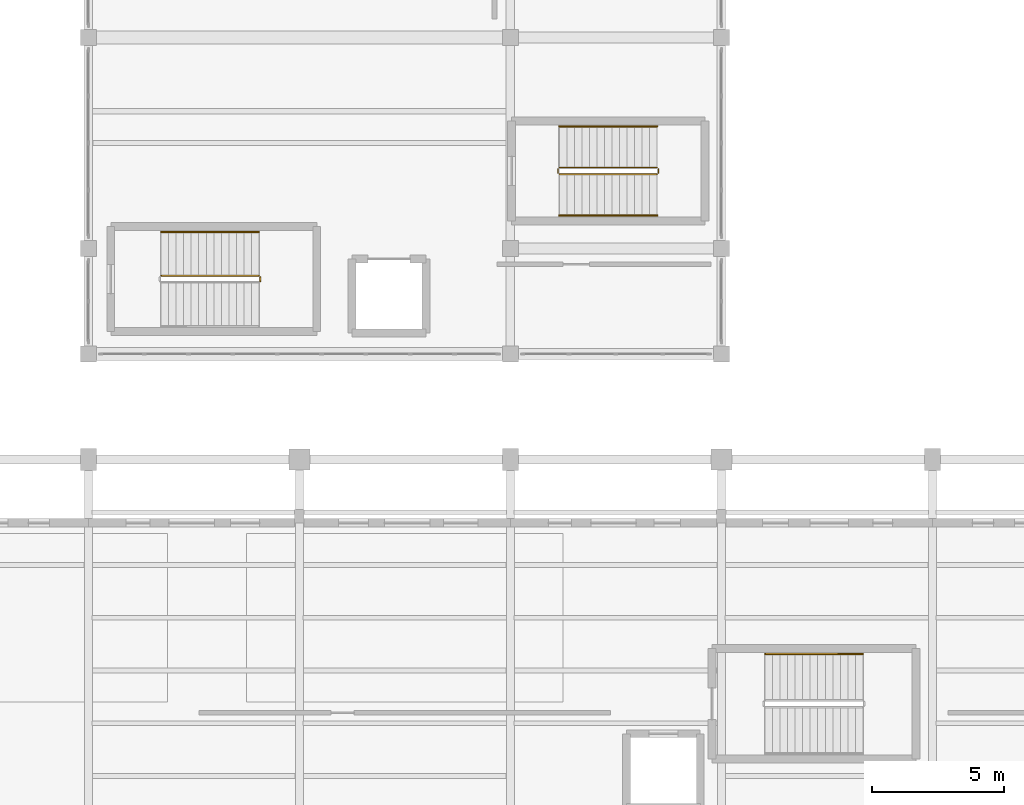
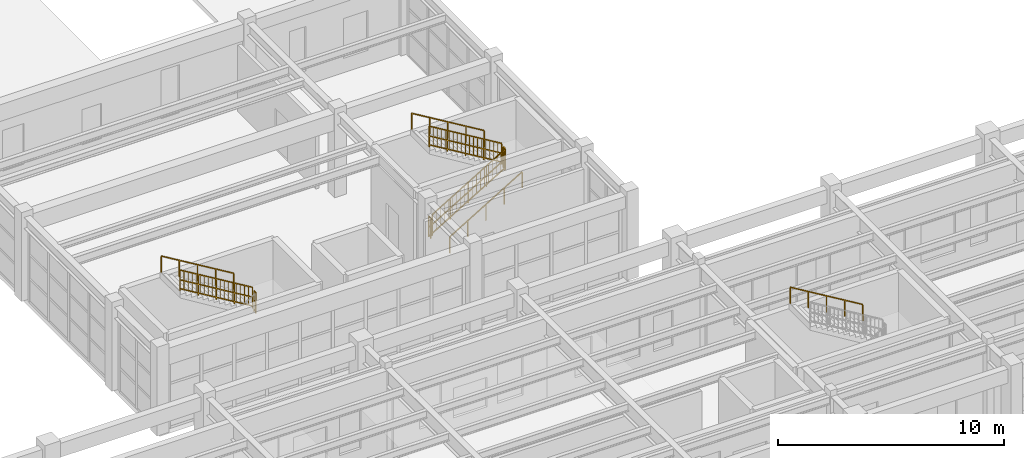
# One storey, part 58 of 59: 10 railings.
"""IFC4 building model written with IfcOpenShell, lengths in metres."""

from ifc_helpers import new_model, si_unit, direction, frame, origin, origin_2d, place, context, subcontext, project, spatial, rectangle, extrude, material, layer, layer_set, type_object, element, save


model = new_model("IFC4")

# Units and contexts
model_context = context("Model", 3, precision=1e-05, world=origin(), true_north=direction((0.0, 1.0)))
body_context = subcontext(model_context, "Body", "Model", "MODEL_VIEW")
ifc_project = project(units=[si_unit("LENGTHUNIT", "METRE"), si_unit("AREAUNIT", "SQUARE_METRE"), si_unit("VOLUMEUNIT", "CUBIC_METRE"), si_unit("PLANEANGLEUNIT", "RADIAN"), si_unit("MASSUNIT", "GRAM", prefix="KILO")], contexts=[model_context])

# Site, building, storey
site_placement = place(None, origin())
site = spatial("IfcSite", under=ifc_project, at=site_placement, CompositionType="ELEMENT")
building_placement = place(site_placement, origin())
building = spatial("IfcBuilding", under=site, at=building_placement, Name="Serraluz Foothill Cableway Terminal", CompositionType="ELEMENT")
storey_placement = place(building_placement, frame((0.0, 0.0, 4.800048828125)))
storey = spatial("IfcBuildingStorey", under=building, at=storey_placement, Name="L01", CompositionType="ELEMENT", Elevation=4.800048828125)

# Railings
ifc_material_1 = material(Name="Steel ASTM A572 Grade 50", Category="steel")
ifc_layer_1 = layer(ifc_material_1, 0.054931640625, Name="Steel ASTM A572 Grade 50", Category="steel")
ifc_layer_set_1 = layer_set([ifc_layer_1], Name="Steel ASTM A572 Grade 50")
railing_type_1 = type_object("IfcRailingType", Name="TYP-RL-GRD-1150", PredefinedType="GUARDRAIL", material=ifc_layer_set_1)
railing_1_placement = place(storey_placement, frame((86.514892578125, 78.760009765625, 2.39990234375)))
element("IfcRailing", 1, at=railing_1_placement, inside=storey, type_object=railing_type_1, Name="L01 ST-08 stair guard 2", PredefinedType="GUARDRAIL", context=body_context, shape_type="SweptSolid", body=[
    extrude(rectangle(XDim=0.048095703125, YDim=0.048095703125, at=origin_2d()), frame((0.0, 0.0, 1.1259765625), z_axis=(0.0, 1.0, 0.0), x_axis=(-1.0, 0.0, 0.0)), (0.0, 0.0, 1.0), 0.159912109375),
    extrude(rectangle(XDim=0.048095703125, YDim=0.048095703125, at=origin_2d()), frame((0.0, 0.0, 0.597900390625), z_axis=(0.0, 1.0, 0.0), x_axis=(-1.0, 0.0, 0.0)), (0.0, 0.0, 1.0), 0.159912109375),
    extrude(rectangle(XDim=0.048095703125, YDim=0.048095703125, at=origin_2d()), frame((0.0, 0.0, 0.1201171875), z_axis=(0.0, 1.0, 0.0), x_axis=(-1.0, 0.0, 0.0)), (0.0, 0.0, 1.0), 0.159912109375),
    extrude(rectangle(XDim=0.0439453125, YDim=0.0439453125, at=origin_2d()), origin(), (0.0, 0.0, 1.0), 1.101806640625),
    extrude(rectangle(XDim=0.0439453125, YDim=0.0439453125, at=origin_2d()), frame((0.0, 0.159912109375, 0.0)), (0.0, 0.0, 1.0), 1.101806640625),
])
railing_2_placement = place(storey_placement, frame((86.465087890625, 78.969970703125, 2.5712890625)))
element("IfcRailing", 2, at=railing_2_placement, inside=storey, type_object=railing_type_1, Name="L01 ST-08 stair guard 3", PredefinedType="GUARDRAIL", context=body_context, shape_type="SweptSolid", body=[
    extrude(rectangle(XDim=0.048095703125, YDim=0.048095703125, at=origin_2d()), frame((0.0, 0.0, 1.1259765625), z_axis=(-0.856909459561, 0.0, 0.515466951525), x_axis=(0.0, -1.0, 0.0)), (0.0, 0.0, 1.0), 4.32373046875),
    extrude(rectangle(XDim=0.048095703125, YDim=0.048095703125, at=origin_2d()), frame((0.0, 0.0, 0.597900390625), z_axis=(-0.856909459561, 0.0, 0.515466951525), x_axis=(0.0, -1.0, 0.0)), (0.0, 0.0, 1.0), 4.32373046875),
    extrude(rectangle(XDim=0.048095703125, YDim=0.048095703125, at=origin_2d()), frame((0.0, 0.0, 0.1201171875), z_axis=(-0.856909459561, 0.0, 0.515466951525), x_axis=(0.0, -1.0, 0.0)), (0.0, 0.0, 1.0), 4.32373046875),
    extrude(rectangle(XDim=0.02001953125, YDim=0.02001953125, at=origin_2d()), frame((-0.205810546875, 0.0, 0.243896484375)), (0.0, 0.0, 1.0), 0.981689453125),
    extrude(rectangle(XDim=0.02001953125, YDim=0.02001953125, at=origin_2d()), frame((-0.41162109375, 0.0, 0.36767578125)), (0.0, 0.0, 1.0), 0.981689453125),
    extrude(rectangle(XDim=0.02001953125, YDim=0.02001953125, at=origin_2d()), frame((-0.617431640625, 0.0, 0.491455078125)), (0.0, 0.0, 1.0), 0.981689453125),
    extrude(rectangle(XDim=0.02001953125, YDim=0.02001953125, at=origin_2d()), frame((-0.8232421875, 0.0, 0.615234375)), (0.0, 0.0, 1.0), 0.981689453125),
    extrude(rectangle(XDim=0.02001953125, YDim=0.02001953125, at=origin_2d()), frame((-1.029296875, 0.0, 0.739013671875)), (0.0, 0.0, 1.0), 0.981689453125),
    extrude(rectangle(XDim=0.02001953125, YDim=0.02001953125, at=origin_2d()), frame((-1.235107421875, 0.0, 0.863037109375)), (0.0, 0.0, 1.0), 0.981689453125),
    extrude(rectangle(XDim=0.02001953125, YDim=0.02001953125, at=origin_2d()), frame((-1.44091796875, 0.0, 0.98681640625)), (0.0, 0.0, 1.0), 0.981689453125),
    extrude(rectangle(XDim=0.02001953125, YDim=0.02001953125, at=origin_2d()), frame((-1.646728515625, 0.0, 1.110595703125)), (0.0, 0.0, 1.0), 0.981689453125),
    extrude(rectangle(XDim=0.02001953125, YDim=0.02001953125, at=origin_2d()), frame((-2.058349609375, 0.0, 1.358154296875)), (0.0, 0.0, 1.0), 0.981689453125),
    extrude(rectangle(XDim=0.02001953125, YDim=0.02001953125, at=origin_2d()), frame((-2.26416015625, 0.0, 1.48193359375)), (0.0, 0.0, 1.0), 0.981689453125),
    extrude(rectangle(XDim=0.02001953125, YDim=0.02001953125, at=origin_2d()), frame((-2.469970703125, 0.0, 1.60595703125)), (0.0, 0.0, 1.0), 0.981689453125),
    extrude(rectangle(XDim=0.02001953125, YDim=0.02001953125, at=origin_2d()), frame((-2.67578125, 0.0, 1.729736328125)), (0.0, 0.0, 1.0), 0.981689453125),
    extrude(rectangle(XDim=0.02001953125, YDim=0.02001953125, at=origin_2d()), frame((-2.8818359375, 0.0, 1.853515625)), (0.0, 0.0, 1.0), 0.981689453125),
    extrude(rectangle(XDim=0.02001953125, YDim=0.02001953125, at=origin_2d()), frame((-3.087646484375, 0.0, 1.977294921875)), (0.0, 0.0, 1.0), 0.981689453125),
    extrude(rectangle(XDim=0.02001953125, YDim=0.02001953125, at=origin_2d()), frame((-3.29345703125, 0.0, 2.10107421875)), (0.0, 0.0, 1.0), 0.981689453125),
    extrude(rectangle(XDim=0.02001953125, YDim=0.02001953125, at=origin_2d()), frame((-3.499267578125, 0.0, 2.224853515625)), (0.0, 0.0, 1.0), 0.981689453125),
    extrude(rectangle(XDim=0.0439453125, YDim=0.0439453125, at=origin_2d()), origin(), (0.0, 0.0, 1.0), 1.101806640625),
    extrude(rectangle(XDim=0.0439453125, YDim=0.0439453125, at=origin_2d()), frame((-0.92626953125, 0.0, 0.55712890625)), (0.0, 0.0, 1.0), 1.101806640625),
    extrude(rectangle(XDim=0.0439453125, YDim=0.0439453125, at=origin_2d()), frame((-1.8525390625, 0.0, 1.1142578125)), (0.0, 0.0, 1.0), 1.101806640625),
    extrude(rectangle(XDim=0.0439453125, YDim=0.0439453125, at=origin_2d()), frame((-2.77880859375, 0.0, 1.671630859375)), (0.0, 0.0, 1.0), 1.101806640625),
    extrude(rectangle(XDim=0.0439453125, YDim=0.0439453125, at=origin_2d()), frame((-3.705078125, 0.0, 2.228759765625)), (0.0, 0.0, 1.0), 1.101806640625),
])
railing_3_placement = place(storey_placement, frame((97.860107421875, 82.81005859375, 0.17138671875)))
element("IfcRailing", 3, at=railing_3_placement, inside=storey, type_object=railing_type_1, Name="L01 ST-09 stair guard 1", PredefinedType="GUARDRAIL", context=body_context, shape_type="SweptSolid", body=[
    extrude(rectangle(XDim=0.048095703125, YDim=0.048095703125, at=origin_2d()), frame((0.0, 0.0, 1.1259765625), z_axis=(0.856919398105, 0.0, 0.515450429384), x_axis=(0.0, 1.0, 0.0)), (0.0, 0.0, 1.0), 4.323486328125),
    extrude(rectangle(XDim=0.048095703125, YDim=0.048095703125, at=origin_2d()), frame((0.0, 0.0, 0.597900390625), z_axis=(0.856919398105, 0.0, 0.515450429384), x_axis=(0.0, 1.0, 0.0)), (0.0, 0.0, 1.0), 4.323486328125),
    extrude(rectangle(XDim=0.048095703125, YDim=0.048095703125, at=origin_2d()), frame((0.0, 0.0, 0.1201171875), z_axis=(0.856919398105, 0.0, 0.515450429384), x_axis=(0.0, 1.0, 0.0)), (0.0, 0.0, 1.0), 4.323486328125),
    extrude(rectangle(XDim=0.02001953125, YDim=0.02001953125, at=origin_2d()), frame((0.205810546875, 0.0, 0.243896484375)), (0.0, 0.0, 1.0), 0.981689453125),
    extrude(rectangle(XDim=0.02001953125, YDim=0.02001953125, at=origin_2d()), frame((0.41162109375, 0.0, 0.36767578125)), (0.0, 0.0, 1.0), 0.981689453125),
    extrude(rectangle(XDim=0.02001953125, YDim=0.02001953125, at=origin_2d()), frame((0.617431640625, 0.0, 0.491455078125)), (0.0, 0.0, 1.0), 0.981689453125),
    extrude(rectangle(XDim=0.02001953125, YDim=0.02001953125, at=origin_2d()), frame((0.8232421875, 0.0, 0.615234375)), (0.0, 0.0, 1.0), 0.981689453125),
    extrude(rectangle(XDim=0.02001953125, YDim=0.02001953125, at=origin_2d()), frame((1.029052734375, 0.0, 0.739013671875)), (0.0, 0.0, 1.0), 0.981689453125),
    extrude(rectangle(XDim=0.02001953125, YDim=0.02001953125, at=origin_2d()), frame((1.23486328125, 0.0, 0.86279296875)), (0.0, 0.0, 1.0), 0.981689453125),
    extrude(rectangle(XDim=0.02001953125, YDim=0.02001953125, at=origin_2d()), frame((1.440673828125, 0.0, 0.986572265625)), (0.0, 0.0, 1.0), 0.981689453125),
    extrude(rectangle(XDim=0.02001953125, YDim=0.02001953125, at=origin_2d()), frame((1.646484375, 0.0, 1.1103515625)), (0.0, 0.0, 1.0), 0.981689453125),
    extrude(rectangle(XDim=0.02001953125, YDim=0.02001953125, at=origin_2d()), frame((2.058349609375, 0.0, 1.358154296875)), (0.0, 0.0, 1.0), 0.981689453125),
    extrude(rectangle(XDim=0.02001953125, YDim=0.02001953125, at=origin_2d()), frame((2.26416015625, 0.0, 1.48193359375)), (0.0, 0.0, 1.0), 0.981689453125),
    extrude(rectangle(XDim=0.02001953125, YDim=0.02001953125, at=origin_2d()), frame((2.469970703125, 0.0, 1.605712890625)), (0.0, 0.0, 1.0), 0.981689453125),
    extrude(rectangle(XDim=0.02001953125, YDim=0.02001953125, at=origin_2d()), frame((2.67578125, 0.0, 1.7294921875)), (0.0, 0.0, 1.0), 0.981689453125),
    extrude(rectangle(XDim=0.02001953125, YDim=0.02001953125, at=origin_2d()), frame((2.881591796875, 0.0, 1.853271484375)), (0.0, 0.0, 1.0), 0.981689453125),
    extrude(rectangle(XDim=0.02001953125, YDim=0.02001953125, at=origin_2d()), frame((3.08740234375, 0.0, 1.97705078125)), (0.0, 0.0, 1.0), 0.981689453125),
    extrude(rectangle(XDim=0.02001953125, YDim=0.02001953125, at=origin_2d()), frame((3.293212890625, 0.0, 2.100830078125)), (0.0, 0.0, 1.0), 0.981689453125),
    extrude(rectangle(XDim=0.02001953125, YDim=0.02001953125, at=origin_2d()), frame((3.4990234375, 0.0, 2.224609375)), (0.0, 0.0, 1.0), 0.981689453125),
    extrude(rectangle(XDim=0.0439453125, YDim=0.0439453125, at=origin_2d()), origin(), (0.0, 0.0, 1.0), 1.101806640625),
    extrude(rectangle(XDim=0.0439453125, YDim=0.0439453125, at=origin_2d()), frame((0.92626953125, 0.0, 0.55712890625)), (0.0, 0.0, 1.0), 1.101806640625),
    extrude(rectangle(XDim=0.0439453125, YDim=0.0439453125, at=origin_2d()), frame((1.8525390625, 0.0, 1.1142578125)), (0.0, 0.0, 1.0), 1.101806640625),
    extrude(rectangle(XDim=0.0439453125, YDim=0.0439453125, at=origin_2d()), frame((2.778564453125, 0.0, 1.67138671875)), (0.0, 0.0, 1.0), 1.101806640625),
    extrude(rectangle(XDim=0.0439453125, YDim=0.0439453125, at=origin_2d()), frame((3.704833984375, 0.0, 2.228515625)), (0.0, 0.0, 1.0), 1.101806640625),
])
railing_4_placement = place(storey_placement, frame((101.614990234375, 82.860107421875, 2.39990234375)))
element("IfcRailing", 4, at=railing_4_placement, inside=storey, type_object=railing_type_1, Name="L01 ST-09 stair guard 2", PredefinedType="GUARDRAIL", context=body_context, shape_type="SweptSolid", body=[
    extrude(rectangle(XDim=0.048095703125, YDim=0.048095703125, at=origin_2d()), frame((0.0, 0.0, 1.1259765625), z_axis=(0.0, 1.0, 0.0), x_axis=(-1.0, 0.0, 0.0)), (0.0, 0.0, 1.0), 0.159912109375),
    extrude(rectangle(XDim=0.048095703125, YDim=0.048095703125, at=origin_2d()), frame((0.0, 0.0, 0.597900390625), z_axis=(0.0, 1.0, 0.0), x_axis=(-1.0, 0.0, 0.0)), (0.0, 0.0, 1.0), 0.159912109375),
    extrude(rectangle(XDim=0.048095703125, YDim=0.048095703125, at=origin_2d()), frame((0.0, 0.0, 0.1201171875), z_axis=(0.0, 1.0, 0.0), x_axis=(-1.0, 0.0, 0.0)), (0.0, 0.0, 1.0), 0.159912109375),
    extrude(rectangle(XDim=0.0439453125, YDim=0.0439453125, at=origin_2d()), origin(), (0.0, 0.0, 1.0), 1.101806640625),
    extrude(rectangle(XDim=0.0439453125, YDim=0.0439453125, at=origin_2d()), frame((0.0, 0.159912109375, 0.0)), (0.0, 0.0, 1.0), 1.101806640625),
])
railing_5_placement = place(storey_placement, frame((101.56494140625, 83.070068359375, 2.5712890625)))
element("IfcRailing", 5, at=railing_5_placement, inside=storey, type_object=railing_type_1, Name="L01 ST-09 stair guard 3", PredefinedType="GUARDRAIL", context=body_context, shape_type="SweptSolid", body=[
    extrude(rectangle(XDim=0.048095703125, YDim=0.048095703125, at=origin_2d()), frame((0.0, 0.0, 1.1259765625), z_axis=(-0.856894455432, 0.0, 0.515491893485), x_axis=(0.0, -1.0, 0.0)), (0.0, 0.0, 1.0), 4.323486328125),
    extrude(rectangle(XDim=0.048095703125, YDim=0.048095703125, at=origin_2d()), frame((0.0, 0.0, 0.597900390625), z_axis=(-0.856894455432, 0.0, 0.515491893485), x_axis=(0.0, -1.0, 0.0)), (0.0, 0.0, 1.0), 4.323486328125),
    extrude(rectangle(XDim=0.048095703125, YDim=0.048095703125, at=origin_2d()), frame((0.0, 0.0, 0.1201171875), z_axis=(-0.856894455432, 0.0, 0.515491893485), x_axis=(0.0, -1.0, 0.0)), (0.0, 0.0, 1.0), 4.323486328125),
    extrude(rectangle(XDim=0.02001953125, YDim=0.02001953125, at=origin_2d()), frame((-0.205810546875, 0.0, 0.243896484375)), (0.0, 0.0, 1.0), 0.981689453125),
    extrude(rectangle(XDim=0.02001953125, YDim=0.02001953125, at=origin_2d()), frame((-0.41162109375, 0.0, 0.36767578125)), (0.0, 0.0, 1.0), 0.981689453125),
    extrude(rectangle(XDim=0.02001953125, YDim=0.02001953125, at=origin_2d()), frame((-0.617431640625, 0.0, 0.491455078125)), (0.0, 0.0, 1.0), 0.981689453125),
    extrude(rectangle(XDim=0.02001953125, YDim=0.02001953125, at=origin_2d()), frame((-0.8232421875, 0.0, 0.615234375)), (0.0, 0.0, 1.0), 0.981689453125),
    extrude(rectangle(XDim=0.02001953125, YDim=0.02001953125, at=origin_2d()), frame((-1.029052734375, 0.0, 0.739013671875)), (0.0, 0.0, 1.0), 0.981689453125),
    extrude(rectangle(XDim=0.02001953125, YDim=0.02001953125, at=origin_2d()), frame((-1.23486328125, 0.0, 0.863037109375)), (0.0, 0.0, 1.0), 0.981689453125),
    extrude(rectangle(XDim=0.02001953125, YDim=0.02001953125, at=origin_2d()), frame((-1.440673828125, 0.0, 0.98681640625)), (0.0, 0.0, 1.0), 0.981689453125),
    extrude(rectangle(XDim=0.02001953125, YDim=0.02001953125, at=origin_2d()), frame((-1.646484375, 0.0, 1.110595703125)), (0.0, 0.0, 1.0), 0.981689453125),
    extrude(rectangle(XDim=0.02001953125, YDim=0.02001953125, at=origin_2d()), frame((-2.058349609375, 0.0, 1.358154296875)), (0.0, 0.0, 1.0), 0.981689453125),
    extrude(rectangle(XDim=0.02001953125, YDim=0.02001953125, at=origin_2d()), frame((-2.26416015625, 0.0, 1.48193359375)), (0.0, 0.0, 1.0), 0.981689453125),
    extrude(rectangle(XDim=0.02001953125, YDim=0.02001953125, at=origin_2d()), frame((-2.469970703125, 0.0, 1.60595703125)), (0.0, 0.0, 1.0), 0.981689453125),
    extrude(rectangle(XDim=0.02001953125, YDim=0.02001953125, at=origin_2d()), frame((-2.67578125, 0.0, 1.729736328125)), (0.0, 0.0, 1.0), 0.981689453125),
    extrude(rectangle(XDim=0.02001953125, YDim=0.02001953125, at=origin_2d()), frame((-2.881591796875, 0.0, 1.853515625)), (0.0, 0.0, 1.0), 0.981689453125),
    extrude(rectangle(XDim=0.02001953125, YDim=0.02001953125, at=origin_2d()), frame((-3.08740234375, 0.0, 1.977294921875)), (0.0, 0.0, 1.0), 0.981689453125),
    extrude(rectangle(XDim=0.02001953125, YDim=0.02001953125, at=origin_2d()), frame((-3.293212890625, 0.0, 2.10107421875)), (0.0, 0.0, 1.0), 0.981689453125),
    extrude(rectangle(XDim=0.02001953125, YDim=0.02001953125, at=origin_2d()), frame((-3.4990234375, 0.0, 2.224853515625)), (0.0, 0.0, 1.0), 0.981689453125),
    extrude(rectangle(XDim=0.0439453125, YDim=0.0439453125, at=origin_2d()), origin(), (0.0, 0.0, 1.0), 1.101806640625),
    extrude(rectangle(XDim=0.0439453125, YDim=0.0439453125, at=origin_2d()), frame((-0.92626953125, 0.0, 0.55712890625)), (0.0, 0.0, 1.0), 1.101806640625),
    extrude(rectangle(XDim=0.0439453125, YDim=0.0439453125, at=origin_2d()), frame((-1.8525390625, 0.0, 1.1142578125)), (0.0, 0.0, 1.0), 1.101806640625),
    extrude(rectangle(XDim=0.0439453125, YDim=0.0439453125, at=origin_2d()), frame((-2.778564453125, 0.0, 1.671630859375)), (0.0, 0.0, 1.0), 1.101806640625),
    extrude(rectangle(XDim=0.0439453125, YDim=0.0439453125, at=origin_2d()), frame((-3.704833984375, 0.0, 2.228759765625)), (0.0, 0.0, 1.0), 1.101806640625),
])
railing_6_placement = place(storey_placement, frame((97.81005859375, 82.860107421875, 0.0)))
element("IfcRailing", 6, at=railing_6_placement, inside=storey, type_object=railing_type_1, Name="L01 ST-09 stair guard 4", PredefinedType="GUARDRAIL", context=body_context, shape_type="SweptSolid", body=[
    extrude(rectangle(XDim=0.048095703125, YDim=0.048095703125, at=origin_2d()), frame((0.0, 0.0, 1.1259765625), z_axis=(0.0, 1.0, 0.0), x_axis=(-1.0, 0.0, 0.0)), (0.0, 0.0, 1.0), 0.159912109375),
    extrude(rectangle(XDim=0.048095703125, YDim=0.048095703125, at=origin_2d()), frame((0.0, 0.0, 0.597900390625), z_axis=(0.0, 1.0, 0.0), x_axis=(-1.0, 0.0, 0.0)), (0.0, 0.0, 1.0), 0.159912109375),
    extrude(rectangle(XDim=0.048095703125, YDim=0.048095703125, at=origin_2d()), frame((0.0, 0.0, 0.1201171875), z_axis=(0.0, 1.0, 0.0), x_axis=(-1.0, 0.0, 0.0)), (0.0, 0.0, 1.0), 0.159912109375),
    extrude(rectangle(XDim=0.0439453125, YDim=0.0439453125, at=origin_2d()), origin(), (0.0, 0.0, 1.0), 1.101806640625),
    extrude(rectangle(XDim=0.0439453125, YDim=0.0439453125, at=origin_2d()), frame((0.0, 0.159912109375, 0.0)), (0.0, 0.0, 1.0), 1.101806640625),
])
ifc_material_2 = material(Name="Architectural bronze alloy C28000", Category="aluminium")
ifc_layer_2 = layer(ifc_material_2, 0.048095703125, Name="Architectural bronze alloy C28000", Category="aluminium")
ifc_layer_set_2 = layer_set([ifc_layer_2], Name="Architectural bronze alloy C28000")
railing_type_2 = type_object("IfcRailingType", Name="TYP-RL-HND-920", PredefinedType="HANDRAIL", material=ifc_layer_set_2)
for number, where, name in (
    (7, (109.364990234375, 64.6298828125, 2.5712890625), "L01 ST-04 stair handrail 2"),
    (8, (86.465087890625, 80.6298828125, 2.5712890625), "L01 ST-08 stair handrail 2"),
):
    element("IfcRailing", number, at=place(storey_placement, frame(where)), inside=storey, type_object=railing_type_2, Name=name, PredefinedType="HANDRAIL", context=body_context, shape_type="SweptSolid", body=[
        extrude(rectangle(XDim=0.048095703125, YDim=0.048095703125, at=origin_2d()), frame((0.0, 0.0, 0.8759765625), z_axis=(-0.856909459561, 0.0, 0.515466951525), x_axis=(0.0, -1.0, 0.0)), (0.0, 0.0, 1.0), 4.32373046875),
        extrude(rectangle(XDim=0.0439453125, YDim=0.0439453125, at=origin_2d()), origin(), (0.0, 0.0, 1.0), 0.851806640625),
        extrude(rectangle(XDim=0.0439453125, YDim=0.0439453125, at=origin_2d()), frame((-0.92626953125, 0.0, 0.55712890625)), (0.0, 0.0, 1.0), 0.851806640625),
        extrude(rectangle(XDim=0.0439453125, YDim=0.0439453125, at=origin_2d()), frame((-1.8525390625, 0.0, 1.1142578125)), (0.0, 0.0, 1.0), 0.851806640625),
        extrude(rectangle(XDim=0.0439453125, YDim=0.0439453125, at=origin_2d()), frame((-2.77880859375, 0.0, 1.671630859375)), (0.0, 0.0, 1.0), 0.851806640625),
        extrude(rectangle(XDim=0.0439453125, YDim=0.0439453125, at=origin_2d()), frame((-3.705078125, 0.0, 2.228759765625)), (0.0, 0.0, 1.0), 0.851806640625),
    ])
railing_7_placement = place(storey_placement, frame((97.860107421875, 81.25, 0.17138671875)))
element("IfcRailing", 9, at=railing_7_placement, inside=storey, type_object=railing_type_2, Name="L01 ST-09 stair handrail 1", PredefinedType="HANDRAIL", context=body_context, shape_type="SweptSolid", body=[
    extrude(rectangle(XDim=0.048095703125, YDim=0.048095703125, at=origin_2d()), frame((0.0, 0.0, 0.8759765625), z_axis=(0.856919398105, 0.0, 0.515450429384), x_axis=(0.0, 1.0, 0.0)), (0.0, 0.0, 1.0), 4.323486328125),
    extrude(rectangle(XDim=0.0439453125, YDim=0.0439453125, at=origin_2d()), origin(), (0.0, 0.0, 1.0), 0.851806640625),
    extrude(rectangle(XDim=0.0439453125, YDim=0.0439453125, at=origin_2d()), frame((0.92626953125, 0.0, 0.55712890625)), (0.0, 0.0, 1.0), 0.851806640625),
    extrude(rectangle(XDim=0.0439453125, YDim=0.0439453125, at=origin_2d()), frame((1.8525390625, 0.0, 1.1142578125)), (0.0, 0.0, 1.0), 0.851806640625),
    extrude(rectangle(XDim=0.0439453125, YDim=0.0439453125, at=origin_2d()), frame((2.778564453125, 0.0, 1.67138671875)), (0.0, 0.0, 1.0), 0.851806640625),
    extrude(rectangle(XDim=0.0439453125, YDim=0.0439453125, at=origin_2d()), frame((3.704833984375, 0.0, 2.228515625)), (0.0, 0.0, 1.0), 0.851806640625),
])
railing_8_placement = place(storey_placement, frame((101.56494140625, 84.6298828125, 2.5712890625)))
element("IfcRailing", 10, at=railing_8_placement, inside=storey, type_object=railing_type_2, Name="L01 ST-09 stair handrail 2", PredefinedType="HANDRAIL", context=body_context, shape_type="SweptSolid", body=[
    extrude(rectangle(XDim=0.048095703125, YDim=0.048095703125, at=origin_2d()), frame((0.0, 0.0, 0.8759765625), z_axis=(-0.856894455432, 0.0, 0.515491893485), x_axis=(0.0, -1.0, 0.0)), (0.0, 0.0, 1.0), 4.323486328125),
    extrude(rectangle(XDim=0.0439453125, YDim=0.0439453125, at=origin_2d()), origin(), (0.0, 0.0, 1.0), 0.851806640625),
    extrude(rectangle(XDim=0.0439453125, YDim=0.0439453125, at=origin_2d()), frame((-0.92626953125, 0.0, 0.55712890625)), (0.0, 0.0, 1.0), 0.851806640625),
    extrude(rectangle(XDim=0.0439453125, YDim=0.0439453125, at=origin_2d()), frame((-1.8525390625, 0.0, 1.1142578125)), (0.0, 0.0, 1.0), 0.851806640625),
    extrude(rectangle(XDim=0.0439453125, YDim=0.0439453125, at=origin_2d()), frame((-2.778564453125, 0.0, 1.671630859375)), (0.0, 0.0, 1.0), 0.851806640625),
    extrude(rectangle(XDim=0.0439453125, YDim=0.0439453125, at=origin_2d()), frame((-3.704833984375, 0.0, 2.228759765625)), (0.0, 0.0, 1.0), 0.851806640625),
])

save(model, "model.ifc")
